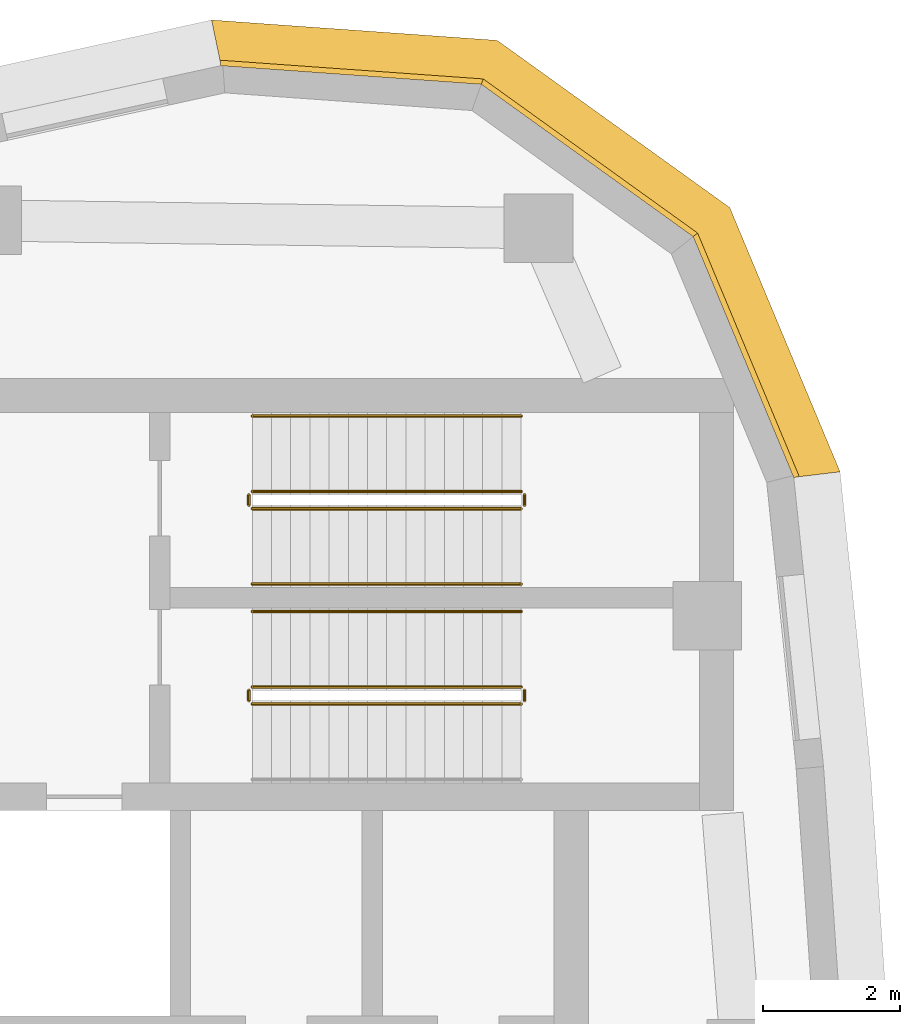
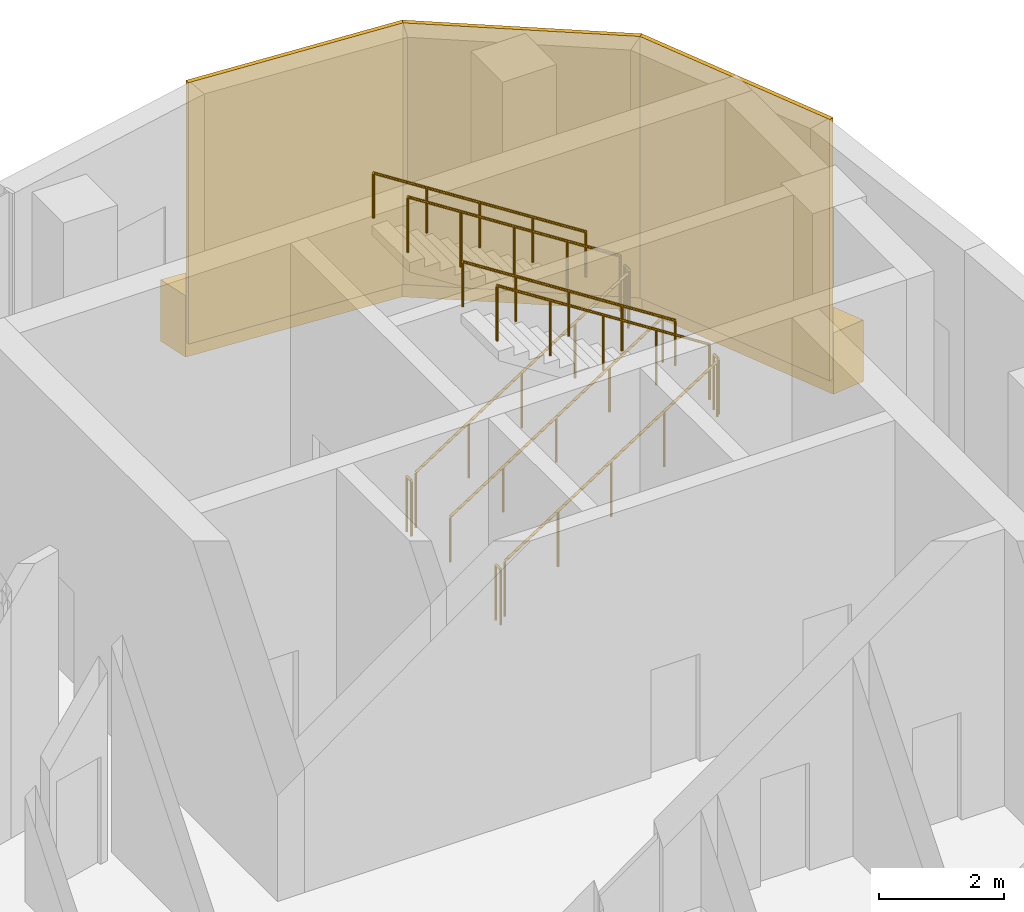
# One storey, part 14 of 15: 11 railings, 4 coverings.
"""IFC4 building model written with IfcOpenShell, lengths in metres."""

from ifc_helpers import new_model, si_unit, direction, frame, origin, origin_2d, place, context, subcontext, project, spatial, polyline, circle, outline, extrude, material, layer, layer_set, type_object, element, save


model = new_model("IFC4")

# Units and contexts
model_context = context("Model", 3, precision=1e-05, world=origin(), true_north=direction((0.0, 1.0)))
body_context = subcontext(model_context, "Body", "Model", "MODEL_VIEW")
ifc_project = project(units=[si_unit("LENGTHUNIT", "METRE"), si_unit("AREAUNIT", "SQUARE_METRE"), si_unit("VOLUMEUNIT", "CUBIC_METRE"), si_unit("PLANEANGLEUNIT", "RADIAN"), si_unit("MASSUNIT", "GRAM", prefix="KILO")], contexts=[model_context])

# Site, building, storey
site_placement = place(None, origin())
site = spatial("IfcSite", under=ifc_project, at=site_placement, CompositionType="ELEMENT")
building_placement = place(site_placement, origin())
building = spatial("IfcBuilding", under=site, at=building_placement, Name="Ostrand Prow Hotel Tower", CompositionType="ELEMENT")
storey_placement = place(building_placement, frame((0.0, 0.0, 313.199951171875)))
storey = spatial("IfcBuildingStorey", under=building, at=storey_placement, Name="C2", CompositionType="ELEMENT", Elevation=313.199951171875)

# Covering
ifc_material_1 = material(Name="Bronze anodised aluminium cladding", Category="aluminium")
ifc_layer_1 = layer(ifc_material_1, 0.60009765625)
ifc_layer_set_1 = layer_set([ifc_layer_1], Name="Bronze anodised aluminium cladding")
covering_type_1 = type_object("IfcCoveringType", Name="Bronze spandrel band 1200x600", PredefinedType="CLADDING", material=ifc_layer_set_1)
covering_1_placement = place(storey_placement, frame((0.0, 0.0, -0.300048828125)))
element("IfcCovering", 1, at=covering_1_placement, inside=storey, type_object=covering_type_1, Name="Spandrel band back 4", PredefinedType="CLADDING", context=body_context, shape_type="SweptSolid", body=[
    extrude(outline(polyline([(65.77197265625, 14.887451171875), (64.162841796875, 18.741455078125), (60.771728515625, 21.17919921875), (56.606201171875, 21.476318359375), (56.72802734375, 20.888916015625), (60.567626953125, 20.614990234375), (63.693115234375, 18.3681640625), (65.17626953125, 14.81591796875), (65.77197265625, 14.887451171875)])), origin(), (0.0, 0.0, 1.0), 1.2001953125),
])

# Railings
ifc_material_2 = material(Name="Painted steel", Category="steel")
railing_type_1 = type_object("IfcRailingType", Name="Stair guard 1100", PredefinedType="GUARDRAIL", material=ifc_material_2)
railing_1_placement = place(storey_placement, frame((57.199951171875, 11.5, 0.179931640625)))
element("IfcRailing", 2, at=railing_1_placement, inside=storey, type_object=railing_type_1, Name="C2 ST1C stair guard 1", PredefinedType="GUARDRAIL", context=body_context, shape_type="SweptSolid", body=[
    extrude(circle(Radius=0.02392578125, at=origin_2d()), frame((0.0, 0.0, 1.076171875), z_axis=(0.841186985886, 0.0, 0.540744352514), x_axis=(0.0, 1.0, 0.0)), (0.0, 0.0, 1.0), 4.660400390625),
    extrude(circle(Radius=0.02099609375, at=origin_2d()), origin(), (0.0, 0.0, 1.0), 1.052001953125),
    extrude(circle(Radius=0.02099609375, at=origin_2d()), frame((0.97998046875, 0.0, 0.6298828125)), (0.0, 0.0, 1.0), 1.052001953125),
    extrude(circle(Radius=0.02099609375, at=origin_2d()), frame((1.9599609375, 0.0, 1.260009765625)), (0.0, 0.0, 1.0), 1.052001953125),
    extrude(circle(Radius=0.02099609375, at=origin_2d()), frame((2.940185546875, 0.0, 1.89013671875)), (0.0, 0.0, 1.0), 1.052001953125),
    extrude(circle(Radius=0.02099609375, at=origin_2d()), frame((3.920166015625, 0.0, 2.52001953125)), (0.0, 0.0, 1.0), 1.052001953125),
])
railing_2_placement = place(storey_placement, frame((61.169921875, 11.550048828125, 2.699951171875)))
element("IfcRailing", 3, at=railing_2_placement, inside=storey, type_object=railing_type_1, Name="C2 ST1C stair guard 2", PredefinedType="GUARDRAIL", context=body_context, shape_type="SweptSolid", body=[
    extrude(circle(Radius=0.02392578125, at=origin_2d()), frame((0.0, 0.0, 1.076171875), z_axis=(0.0, 1.0, 0.0), x_axis=(-1.0, 0.0, 0.0)), (0.0, 0.0, 1.0), 0.14990234375),
    extrude(circle(Radius=0.02099609375, at=origin_2d()), origin(), (0.0, 0.0, 1.0), 1.052001953125),
    extrude(circle(Radius=0.02099609375, at=origin_2d()), frame((0.0, 0.14990234375, 0.0)), (0.0, 0.0, 1.0), 1.052001953125),
])
railing_3_placement = place(storey_placement, frame((61.1201171875, 11.75, 2.880126953125)))
element("IfcRailing", 4, at=railing_3_placement, inside=storey, type_object=railing_type_1, Name="C2 ST1C stair guard 3", PredefinedType="GUARDRAIL", context=body_context, shape_type="SweptSolid", body=[
    extrude(circle(Radius=0.02392578125, at=origin_2d()), frame((0.0, 0.0, 1.076171875), z_axis=(-0.841186985886, 0.0, 0.540744352514), x_axis=(0.0, -1.0, 0.0)), (0.0, 0.0, 1.0), 4.660400390625),
    extrude(circle(Radius=0.02099609375, at=origin_2d()), origin(), (0.0, 0.0, 1.0), 1.052001953125),
    extrude(circle(Radius=0.02099609375, at=origin_2d()), frame((-0.97998046875, 0.0, 0.6298828125)), (0.0, 0.0, 1.0), 1.052001953125),
    extrude(circle(Radius=0.02099609375, at=origin_2d()), frame((-1.9599609375, 0.0, 1.260009765625)), (0.0, 0.0, 1.0), 1.052001953125),
    extrude(circle(Radius=0.02099609375, at=origin_2d()), frame((-2.940185546875, 0.0, 1.89013671875)), (0.0, 0.0, 1.0), 1.052001953125),
    extrude(circle(Radius=0.02099609375, at=origin_2d()), frame((-3.920166015625, 0.0, 2.52001953125)), (0.0, 0.0, 1.0), 1.052001953125),
])
railing_4_placement = place(storey_placement, frame((57.14990234375, 11.550048828125, 0.0)))
element("IfcRailing", 5, at=railing_4_placement, inside=storey, type_object=railing_type_1, Name="C2 ST1C stair guard 4", PredefinedType="GUARDRAIL", context=body_context, shape_type="SweptSolid", body=[
    extrude(circle(Radius=0.02392578125, at=origin_2d()), frame((0.0, 0.0, 1.076171875), z_axis=(0.0, 1.0, 0.0), x_axis=(-1.0, 0.0, 0.0)), (0.0, 0.0, 1.0), 0.14990234375),
    extrude(circle(Radius=0.02099609375, at=origin_2d()), origin(), (0.0, 0.0, 1.0), 1.052001953125),
    extrude(circle(Radius=0.02099609375, at=origin_2d()), frame((0.0, 0.14990234375, 0.0)), (0.0, 0.0, 1.0), 1.052001953125),
])
railing_5_placement = place(storey_placement, frame((57.199951171875, 14.35009765625, 0.179931640625)))
element("IfcRailing", 6, at=railing_5_placement, inside=storey, type_object=railing_type_1, Name="C2 ST3C stair guard 1", PredefinedType="GUARDRAIL", context=body_context, shape_type="SweptSolid", body=[
    extrude(circle(Radius=0.02392578125, at=origin_2d()), frame((0.0, 0.0, 1.076171875), z_axis=(0.841186985886, 0.0, 0.540744352514), x_axis=(0.0, 1.0, 0.0)), (0.0, 0.0, 1.0), 4.660400390625),
    extrude(circle(Radius=0.02099609375, at=origin_2d()), origin(), (0.0, 0.0, 1.0), 1.052001953125),
    extrude(circle(Radius=0.02099609375, at=origin_2d()), frame((0.97998046875, 0.0, 0.6298828125)), (0.0, 0.0, 1.0), 1.052001953125),
    extrude(circle(Radius=0.02099609375, at=origin_2d()), frame((1.9599609375, 0.0, 1.260009765625)), (0.0, 0.0, 1.0), 1.052001953125),
    extrude(circle(Radius=0.02099609375, at=origin_2d()), frame((2.940185546875, 0.0, 1.89013671875)), (0.0, 0.0, 1.0), 1.052001953125),
    extrude(circle(Radius=0.02099609375, at=origin_2d()), frame((3.920166015625, 0.0, 2.52001953125)), (0.0, 0.0, 1.0), 1.052001953125),
])
railing_6_placement = place(storey_placement, frame((61.169921875, 14.39990234375, 2.699951171875)))
element("IfcRailing", 7, at=railing_6_placement, inside=storey, type_object=railing_type_1, Name="C2 ST3C stair guard 2", PredefinedType="GUARDRAIL", context=body_context, shape_type="SweptSolid", body=[
    extrude(circle(Radius=0.02392578125, at=origin_2d()), frame((0.0, 0.0, 1.076171875), z_axis=(0.0, 1.0, 0.0), x_axis=(-1.0, 0.0, 0.0)), (0.0, 0.0, 1.0), 0.150146484375),
    extrude(circle(Radius=0.02099609375, at=origin_2d()), origin(), (0.0, 0.0, 1.0), 1.052001953125),
    extrude(circle(Radius=0.02099609375, at=origin_2d()), frame((0.0, 0.150146484375, 0.0)), (0.0, 0.0, 1.0), 1.052001953125),
])
railing_7_placement = place(storey_placement, frame((61.1201171875, 14.60009765625, 2.880126953125)))
element("IfcRailing", 8, at=railing_7_placement, inside=storey, type_object=railing_type_1, Name="C2 ST3C stair guard 3", PredefinedType="GUARDRAIL", context=body_context, shape_type="SweptSolid", body=[
    extrude(circle(Radius=0.02392578125, at=origin_2d()), frame((0.0, 0.0, 1.076171875), z_axis=(-0.841186985886, 0.0, 0.540744352514), x_axis=(0.0, -1.0, 0.0)), (0.0, 0.0, 1.0), 4.660400390625),
    extrude(circle(Radius=0.02099609375, at=origin_2d()), origin(), (0.0, 0.0, 1.0), 1.052001953125),
    extrude(circle(Radius=0.02099609375, at=origin_2d()), frame((-0.97998046875, 0.0, 0.6298828125)), (0.0, 0.0, 1.0), 1.052001953125),
    extrude(circle(Radius=0.02099609375, at=origin_2d()), frame((-1.9599609375, 0.0, 1.260009765625)), (0.0, 0.0, 1.0), 1.052001953125),
    extrude(circle(Radius=0.02099609375, at=origin_2d()), frame((-2.940185546875, 0.0, 1.89013671875)), (0.0, 0.0, 1.0), 1.052001953125),
    extrude(circle(Radius=0.02099609375, at=origin_2d()), frame((-3.920166015625, 0.0, 2.52001953125)), (0.0, 0.0, 1.0), 1.052001953125),
])
railing_8_placement = place(storey_placement, frame((57.14990234375, 14.39990234375, 0.0)))
element("IfcRailing", 9, at=railing_8_placement, inside=storey, type_object=railing_type_1, Name="C2 ST3C stair guard 4", PredefinedType="GUARDRAIL", context=body_context, shape_type="SweptSolid", body=[
    extrude(circle(Radius=0.02392578125, at=origin_2d()), frame((0.0, 0.0, 1.076171875), z_axis=(0.0, 1.0, 0.0), x_axis=(-1.0, 0.0, 0.0)), (0.0, 0.0, 1.0), 0.150146484375),
    extrude(circle(Radius=0.02099609375, at=origin_2d()), origin(), (0.0, 0.0, 1.0), 1.052001953125),
    extrude(circle(Radius=0.02099609375, at=origin_2d()), frame((0.0, 0.150146484375, 0.0)), (0.0, 0.0, 1.0), 1.052001953125),
])
ifc_material_3 = material(Name="Stainless steel", Category="steel")
railing_type_2 = type_object("IfcRailingType", Name="Stair handrail 900", PredefinedType="HANDRAIL", material=ifc_material_3)
railing_9_placement = place(storey_placement, frame((61.1201171875, 12.85009765625, 2.880126953125)))
element("IfcRailing", 10, at=railing_9_placement, inside=storey, type_object=railing_type_2, Name="C2 ST1C stair handrail 2", PredefinedType="HANDRAIL", context=body_context, shape_type="SweptSolid", body=[
    extrude(circle(Radius=0.02392578125, at=origin_2d()), frame((0.0, 0.0, 0.8759765625), z_axis=(-0.841186985886, 0.0, 0.540744352514), x_axis=(0.0, -1.0, 0.0)), (0.0, 0.0, 1.0), 4.660400390625),
    extrude(circle(Radius=0.02099609375, at=origin_2d()), origin(), (0.0, 0.0, 1.0), 0.851806640625),
    extrude(circle(Radius=0.02099609375, at=origin_2d()), frame((-0.97998046875, 0.0, 0.6298828125)), (0.0, 0.0, 1.0), 0.851806640625),
    extrude(circle(Radius=0.02099609375, at=origin_2d()), frame((-1.9599609375, 0.0, 1.260009765625)), (0.0, 0.0, 1.0), 0.851806640625),
    extrude(circle(Radius=0.02099609375, at=origin_2d()), frame((-2.940185546875, 0.0, 1.89013671875)), (0.0, 0.0, 1.0), 0.851806640625),
    extrude(circle(Radius=0.02099609375, at=origin_2d()), frame((-3.920166015625, 0.0, 2.52001953125)), (0.0, 0.0, 1.0), 0.851806640625),
])
railing_10_placement = place(storey_placement, frame((57.199951171875, 13.25, 0.179931640625)))
element("IfcRailing", 11, at=railing_10_placement, inside=storey, type_object=railing_type_2, Name="C2 ST3C stair handrail 1", PredefinedType="HANDRAIL", context=body_context, shape_type="SweptSolid", body=[
    extrude(circle(Radius=0.02392578125, at=origin_2d()), frame((0.0, 0.0, 0.8759765625), z_axis=(0.841186985886, 0.0, 0.540744352514), x_axis=(0.0, 1.0, 0.0)), (0.0, 0.0, 1.0), 4.660400390625),
    extrude(circle(Radius=0.02099609375, at=origin_2d()), origin(), (0.0, 0.0, 1.0), 0.851806640625),
    extrude(circle(Radius=0.02099609375, at=origin_2d()), frame((0.97998046875, 0.0, 0.6298828125)), (0.0, 0.0, 1.0), 0.851806640625),
    extrude(circle(Radius=0.02099609375, at=origin_2d()), frame((1.9599609375, 0.0, 1.260009765625)), (0.0, 0.0, 1.0), 0.851806640625),
    extrude(circle(Radius=0.02099609375, at=origin_2d()), frame((2.940185546875, 0.0, 1.89013671875)), (0.0, 0.0, 1.0), 0.851806640625),
    extrude(circle(Radius=0.02099609375, at=origin_2d()), frame((3.920166015625, 0.0, 2.52001953125)), (0.0, 0.0, 1.0), 0.851806640625),
])
railing_11_placement = place(storey_placement, frame((61.1201171875, 15.699951171875, 2.880126953125)))
element("IfcRailing", 12, at=railing_11_placement, inside=storey, type_object=railing_type_2, Name="C2 ST3C stair handrail 2", PredefinedType="HANDRAIL", context=body_context, shape_type="SweptSolid", body=[
    extrude(circle(Radius=0.02392578125, at=origin_2d()), frame((0.0, 0.0, 0.8759765625), z_axis=(-0.841186985886, 0.0, 0.540744352514), x_axis=(0.0, -1.0, 0.0)), (0.0, 0.0, 1.0), 4.660400390625),
    extrude(circle(Radius=0.02099609375, at=origin_2d()), origin(), (0.0, 0.0, 1.0), 0.851806640625),
    extrude(circle(Radius=0.02099609375, at=origin_2d()), frame((-0.97998046875, 0.0, 0.6298828125)), (0.0, 0.0, 1.0), 0.851806640625),
    extrude(circle(Radius=0.02099609375, at=origin_2d()), frame((-1.9599609375, 0.0, 1.260009765625)), (0.0, 0.0, 1.0), 0.851806640625),
    extrude(circle(Radius=0.02099609375, at=origin_2d()), frame((-2.940185546875, 0.0, 1.89013671875)), (0.0, 0.0, 1.0), 0.851806640625),
    extrude(circle(Radius=0.02099609375, at=origin_2d()), frame((-3.920166015625, 0.0, 2.52001953125)), (0.0, 0.0, 1.0), 0.851806640625),
])

# Coverings
ifc_material_4 = material(Name="Limestone cladding", Category="masonry")
ifc_layer_2 = layer(ifc_material_4, 0.080078125)
ifc_layer_set_2 = layer_set([ifc_layer_2], Name="Limestone cladding")
covering_type_2 = type_object("IfcCoveringType", Name="Warm limestone cladding 80 mm", PredefinedType="CLADDING", material=ifc_layer_set_2)
covering_2_placement = place(storey_placement, frame((65.136474609375, 14.811279296875, 0.0), z_axis=(0.0, 0.0, 1.0), x_axis=(-0.385272026688, 0.922803048029, 0.0)))
element("IfcCovering", 13, at=covering_2_placement, inside=storey, type_object=covering_type_2, Name="Limestone cladding back 12", PredefinedType="CLADDING", context=body_context, shape_type="SweptSolid", body=[
    extrude(outline(polyline([(-0.005859375, -0.0400390625), (3.838623046875, -0.0400390625), (3.816162109375, 0.0400390625), (0.005859375, 0.0400390625), (-0.005859375, -0.0400390625)])), origin(), (0.0, 0.0, 1.0), 5.10009765625),
])
covering_3_placement = place(storey_placement, frame((63.661865234375, 18.34326171875, 0.0), z_axis=(0.0, 0.0, 1.0), x_axis=(-0.811975694159, 0.583691247231, 0.0)))
element("IfcCovering", 14, at=covering_3_placement, inside=storey, type_object=covering_type_2, Name="Limestone cladding back 13", PredefinedType="CLADDING", context=body_context, shape_type="SweptSolid", body=[
    extrude(outline(polyline([(-0.01123046875, -0.0400390625), (3.8388671875, -0.0400390625), (3.81640625, 0.0400390625), (0.01123046875, 0.0400390625), (-0.01123046875, -0.0400390625)])), origin(), (0.0, 0.0, 1.0), 5.10009765625),
])
covering_4_placement = place(storey_placement, frame((60.553955078125, 20.577392578125, 0.0), z_axis=(0.0, 0.0, 1.0), x_axis=(-0.997463230726, 0.071183589045, 0.0)))
element("IfcCovering", 15, at=covering_4_placement, inside=storey, type_object=covering_type_2, Name="Limestone cladding back 14", PredefinedType="CLADDING", context=body_context, shape_type="SweptSolid", body=[
    extrude(outline(polyline([(-0.01123046875, -0.0400390625), (3.83349609375, -0.0400390625), (3.82177734375, 0.0400390625), (0.01123046875, 0.0400390625), (-0.01123046875, -0.0400390625)])), origin(), (0.0, 0.0, 1.0), 5.10009765625),
])

save(model, "model.ifc")
